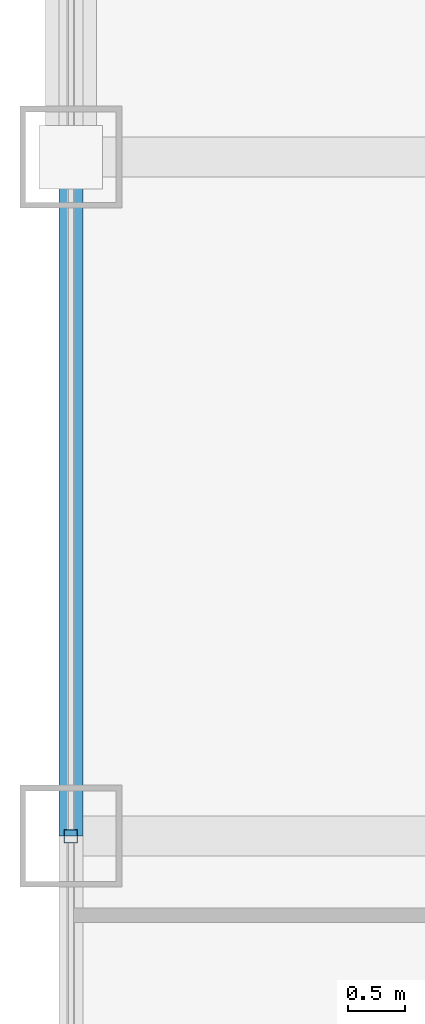
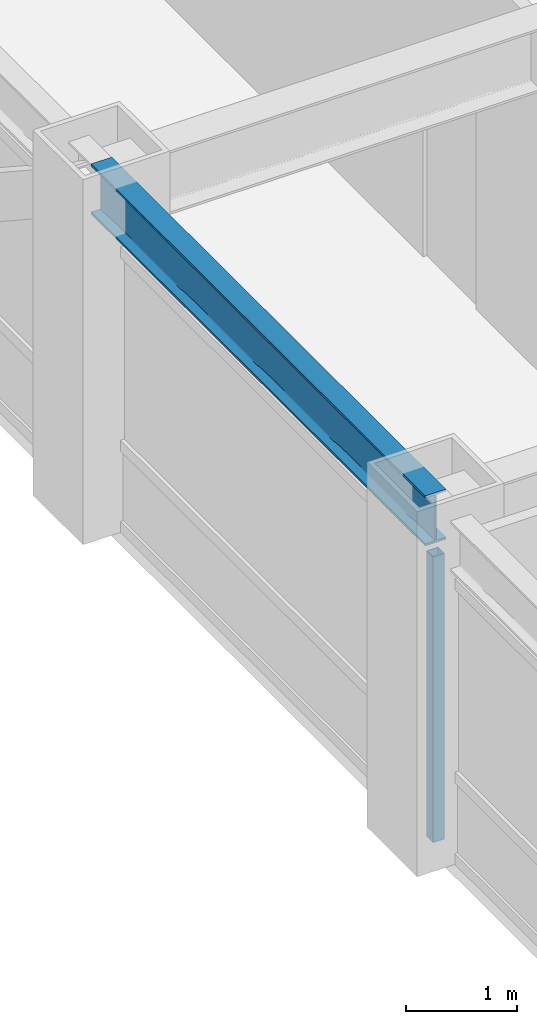
# One storey, part 6 of 27: 1 beam, 1 member, 1 element without a shape of its own.
"""IFC4 building model written with IfcOpenShell, lengths in metres."""

from ifc_helpers import new_model, si_unit, direction, frame, origin, origin_2d, place, context, subcontext, project, spatial, hollow_rectangle, i_section, extrude, source, transform, mapped, material, material_profile, profile_set, type_object, element, aggregate, save


model = new_model("IFC4")

# Units and contexts
model_context = context("Model", 3, precision=1e-05, world=origin(), true_north=direction((0.0, 1.0)))
body_context = subcontext(model_context, "Body", "Model", "MODEL_VIEW")
ifc_project = project(units=[si_unit("LENGTHUNIT", "METRE"), si_unit("AREAUNIT", "SQUARE_METRE"), si_unit("VOLUMEUNIT", "CUBIC_METRE"), si_unit("PLANEANGLEUNIT", "RADIAN"), si_unit("MASSUNIT", "GRAM", prefix="KILO")], contexts=[model_context])

# Site, building, storey
site_placement = place(None, origin())
site = spatial("IfcSite", under=ifc_project, at=site_placement, CompositionType="ELEMENT")
building_placement = place(site_placement, origin())
building = spatial("IfcBuilding", under=site, at=building_placement, Name="Khorayat Bourse Tower", CompositionType="ELEMENT")
storey_placement = place(building_placement, frame((0.0, 0.0, 285.5)))
storey = spatial("IfcBuildingStorey", under=building, at=storey_placement, Name="L67", CompositionType="ELEMENT", Elevation=285.5)

# Beam
ifc_material_1 = material(Name="Steel ASTM A992 Grade 50", Category="steel")
ifc_material_profile_1 = material_profile(ifc_material_1, i_section(OverallWidth=0.214111328125, OverallDepth=0.549072265625, WebThickness=0.0146484375, FlangeThickness=0.023681640625, FilletRadius=0.013916015625, at=origin_2d()), Name="W530X138")
ifc_profile_set_1 = profile_set([ifc_material_profile_1], Name="Steel ASTM A992 Grade 50")
beam_type = type_object("IfcBeamType", Name="BM-SPAN-530", PredefinedType="SPANDREL", material=ifc_profile_set_1)
shared_shape_1 = source(origin(), body_context, "Body", "SweptSolid", [
    extrude(i_section(OverallWidth=0.214111328125, OverallDepth=0.549072265625, WebThickness=0.0146484375, FlangeThickness=0.023681640625, FilletRadius=0.013916015625, at=origin_2d()), origin(), (0.0, 0.0, 1.0), 6.0),
])
beam_placement = place(storey_placement, frame((-28.0, 0.0, 3.505615234375), z_axis=(0.0, 1.0, 0.0), x_axis=(-1.0, 0.0, 0.0)))
element("IfcBeam", 1, at=beam_placement, inside=storey, type_object=beam_type, Name="L67 BM-SPAN-530 BM-L67-SPN-057", PredefinedType="SPANDREL", context=body_context, shape_type="MappedRepresentation", body=[
    mapped(shared_shape_1, transform((0.0, 0.0, 0.0), scale=1.0)),
])

# Curtain wall, member
ifc_material_2 = material(Name="Aluminium EN AW-6063 T6", Category="aluminium")
curtain_wall_type = type_object("IfcCurtainWallType", Name="CW-SYS-04", PredefinedType="NOTDEFINED", material=ifc_material_2)
curtain_wall_placement = place(storey_placement, origin())
curtain_wall = element("IfcCurtainWall", 2, at=curtain_wall_placement, inside=storey, type_object=curtain_wall_type, Name="L67 Curtain Wall CW-L67-W1", PredefinedType="NOTDEFINED")
ifc_material_profile_2 = material_profile(ifc_material_2, hollow_rectangle(XDim=0.1201171875, YDim=0.1201171875, WallThickness=0.0048828125, at=origin_2d()), Name="ALU 120x120x5")
ifc_profile_set_2 = profile_set([ifc_material_profile_2], Name="Aluminium EN AW-6063 T6")
member_type = type_object("IfcMemberType", Name="CWM-VERT-120", PredefinedType="MULLION", material=ifc_profile_set_2)
shared_shape_2 = source(origin(), body_context, "Body", "SweptSolid", [
    extrude(hollow_rectangle(XDim=0.1201171875, YDim=0.1201171875, WallThickness=0.0048828125, at=origin_2d()), origin(), (0.0, 0.0, 1.0), 3.1298828125),
])
member_placement = place(storey_placement, frame((-28.0, 0.0, 0.0), z_axis=(0.0, 0.0, 1.0), x_axis=(-1.0, 0.0, 0.0)))
member = element("IfcMember", 3, at=member_placement, type_object=member_type, Name="CW-L67-W1 Vertical Mullion 2", PredefinedType="MULLION", context=body_context, shape_type="MappedRepresentation", body=[
    mapped(shared_shape_2, transform((0.0, 0.0, 0.0), scale=1.0)),
])
aggregate(curtain_wall, [member])

save(model, "model.ifc")
